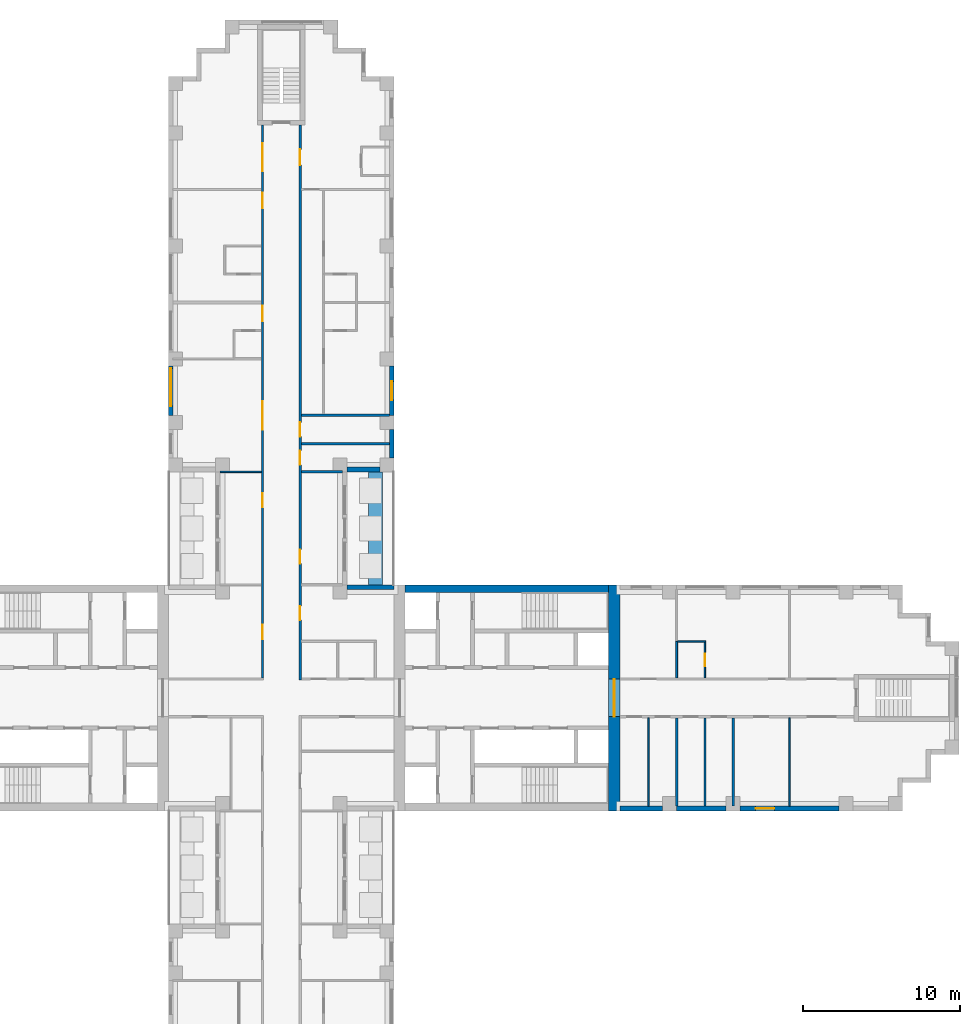
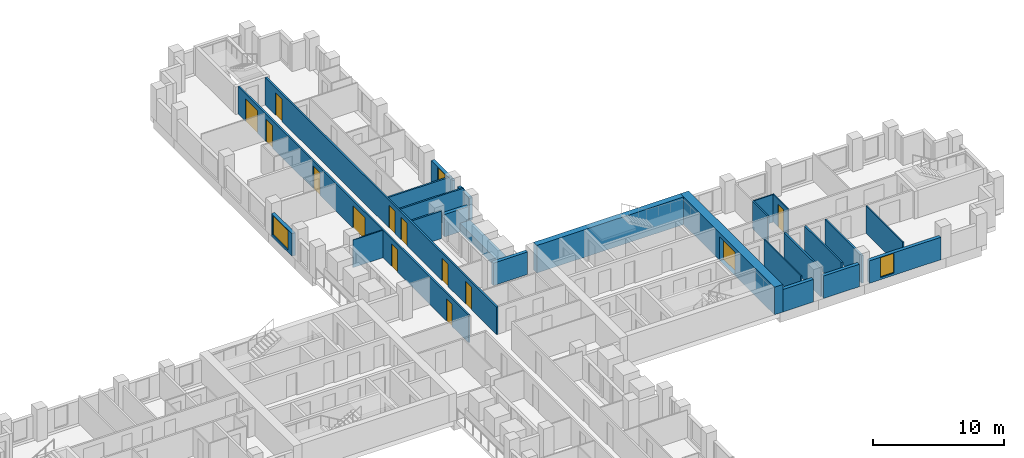
# One storey, part 9 of 15: 25 walls, 13 doors, 3 windows, 16 openings.
"""IFC4 building model written with IfcOpenShell, lengths in metres."""

from ifc_helpers import new_model, si_unit, direction, frame, frame_2d, origin, place, context, subcontext, project, spatial, rectangle, extrude, material, layer, layer_set, type_object, element, fill, save


model = new_model("IFC4")

# Units and contexts
model_context = context("Model", 3, precision=1e-05, world=origin(), true_north=direction((0.0, 1.0)))
body_context = subcontext(model_context, "Body", "Model", "MODEL_VIEW")
ifc_project = project(units=[si_unit("LENGTHUNIT", "METRE"), si_unit("AREAUNIT", "SQUARE_METRE"), si_unit("VOLUMEUNIT", "CUBIC_METRE"), si_unit("PLANEANGLEUNIT", "RADIAN"), si_unit("MASSUNIT", "GRAM", prefix="KILO")], contexts=[model_context])

# Site, building, storey
site_placement = place(None, origin())
site = spatial("IfcSite", under=ifc_project, at=site_placement, CompositionType="ELEMENT")
building_placement = place(site_placement, origin())
building = spatial("IfcBuilding", under=site, at=building_placement, Name="Fustian Cross Tower", CompositionType="ELEMENT")
storey_placement = place(building_placement, frame((0.0, 0.0, 47.699951171875)))
storey = spatial("IfcBuildingStorey", under=building, at=storey_placement, Name="L14", CompositionType="ELEMENT", Elevation=47.699951171875)

# Wall, openings, doors
ifc_material_1 = material(Name="Plasterboard on steel stud", Category="steel")
ifc_layer_1 = layer(ifc_material_1, 0.14990234375)
ifc_layer_set_1 = layer_set([ifc_layer_1], Name="Plasterboard on steel stud")
wall_type_1 = type_object("IfcWallType", Name="COMPARTMENT WALL 150 EI 60", PredefinedType="PARTITIONING", material=ifc_layer_set_1)
wall_1_placement = place(storey_placement, frame((-1.199951171875, 1.27490234375, 0.0), z_axis=(0.0, 0.0, 1.0), x_axis=(0.0, 1.0, 0.0)))
wall_1 = element("IfcWall", 1, at=wall_1_placement, inside=storey, type_object=wall_type_1, Name="Partition 43", PredefinedType="PARTITIONING", context=body_context, shape_type="SweptSolid", body=[
    extrude(rectangle(XDim=35.22509765625, YDim=0.14990234375, at=frame_2d((17.612548828125, 0.0))), origin(), (0.0, 0.0, 1.0), 2.574951171875),
])
opening_1_placement = place(wall_1_placement, frame((2.47509765625, 0.0, 0.0)))
opening_1 = element("IfcOpeningElement", 2, at=opening_1_placement, cuts=wall_1, Name="Opening D08004", PredefinedType="OPENING", context=body_context, shape_type="SweptSolid", body=[
    extrude(rectangle(XDim=0.89990234375, YDim=2.10009765625, at=frame_2d((0.449951171875, 1.050048828125))), frame((0.0, 0.0849609375, 0.0), z_axis=(0.0, -1.0, 0.0), x_axis=(1.0, 0.0, 0.0)), (0.0, 0.0, 1.0), 0.169921875),
])
opening_2_placement = place(wall_1_placement, frame((10.875, 0.0, 0.0)))
opening_2 = element("IfcOpeningElement", 3, at=opening_2_placement, cuts=wall_1, Name="Opening D08019", PredefinedType="OPENING", context=body_context, shape_type="SweptSolid", body=[
    extrude(rectangle(XDim=0.89990234375, YDim=2.10009765625, at=frame_2d((0.449951171875, 1.050048828125))), frame((0.0, 0.0849609375, 0.0), z_axis=(0.0, -1.0, 0.0), x_axis=(1.0, 0.0, 0.0)), (0.0, 0.0, 1.0), 0.169921875),
])
opening_3_placement = place(wall_1_placement, frame((15.824951171875, 0.0, 0.0)))
opening_3 = element("IfcOpeningElement", 4, at=opening_3_placement, cuts=wall_1, Name="Opening D08020", PredefinedType="OPENING", context=body_context, shape_type="SweptSolid", body=[
    extrude(rectangle(XDim=1.800048828125, YDim=2.10009765625, at=frame_2d((0.89990234375, 1.050048828125))), frame((0.0, 0.0849609375, 0.0), z_axis=(0.0, -1.0, 0.0), x_axis=(1.0, 0.0, 0.0)), (0.0, 0.0, 1.0), 0.169921875),
])
opening_4_placement = place(wall_1_placement, frame((22.72509765625, 0.0, 0.0)))
opening_4 = element("IfcOpeningElement", 5, at=opening_4_placement, cuts=wall_1, Name="Opening D08022", PredefinedType="OPENING", context=body_context, shape_type="SweptSolid", body=[
    extrude(rectangle(XDim=1.0, YDim=2.10009765625, at=frame_2d((0.5, 1.050048828125))), frame((0.0, 0.0849609375, 0.0), z_axis=(0.0, -1.0, 0.0), x_axis=(1.0, 0.0, 0.0)), (0.0, 0.0, 1.0), 0.169921875),
])
opening_5_placement = place(wall_1_placement, frame((29.925048828125, 0.0, 0.0)))
opening_5 = element("IfcOpeningElement", 6, at=opening_5_placement, cuts=wall_1, Name="Opening D08024", PredefinedType="OPENING", context=body_context, shape_type="SweptSolid", body=[
    extrude(rectangle(XDim=1.0, YDim=2.10009765625, at=frame_2d((0.5, 1.050048828125))), frame((0.0, 0.0849609375, 0.0), z_axis=(0.0, -1.0, 0.0), x_axis=(1.0, 0.0, 0.0)), (0.0, 0.0, 1.0), 0.169921875),
])
opening_6_placement = place(wall_1_placement, frame((32.27490234375, 0.0, 0.0)))
opening_6 = element("IfcOpeningElement", 7, at=opening_6_placement, cuts=wall_1, Name="Opening D08025", PredefinedType="OPENING", context=body_context, shape_type="SweptSolid", body=[
    extrude(rectangle(XDim=1.800048828125, YDim=2.10009765625, at=frame_2d((0.89990234375, 1.050048828125))), frame((0.0, 0.0849609375, 0.0), z_axis=(0.0, -1.0, 0.0), x_axis=(1.0, 0.0, 0.0)), (0.0, 0.0, 1.0), 0.169921875),
])
ifc_material_2 = material(Name="Timber fire door set", Category="wood")
door_type_1 = type_object("IfcDoorType", Name="FIRE DOUBLE DOOR 1800 FD30S", OperationType="DOUBLE_DOOR_DOUBLE_SWING", PredefinedType="DOOR", material=ifc_material_2)
door_1_placement = place(opening_3_placement, frame((1.800048828125, 0.0, 0.0), z_axis=(0.0, 0.0, 1.0), x_axis=(-1.0, 0.0, 0.0)))
door_1 = element("IfcDoor", 8, at=door_1_placement, inside=storey, type_object=door_type_1, Name="Door D08020", OperationType="DOUBLE_DOOR_DOUBLE_SWING", OverallHeight=2.10009765625, OverallWidth=1.800048828125, PredefinedType="DOOR", context=body_context, shape_type="SweptSolid", body=[
    extrude(rectangle(XDim=1.800048828125, YDim=2.10009765625, at=frame_2d((0.89990234375, 1.050048828125))), frame((0.0, 0.02490234375, 0.0), z_axis=(0.0, -1.0, 0.0), x_axis=(1.0, 0.0, 0.0)), (0.0, 0.0, 1.0), 0.050048828125),
])
fill(opening_3, door_1)
door_2_placement = place(opening_6_placement, frame((1.800048828125, 0.0, 0.0), z_axis=(0.0, 0.0, 1.0), x_axis=(-1.0, 0.0, 0.0)))
door_2 = element("IfcDoor", 9, at=door_2_placement, inside=storey, type_object=door_type_1, Name="Door D08025", OperationType="DOUBLE_DOOR_DOUBLE_SWING", OverallHeight=2.10009765625, OverallWidth=1.800048828125, PredefinedType="DOOR", context=body_context, shape_type="SweptSolid", body=[
    extrude(rectangle(XDim=1.800048828125, YDim=2.10009765625, at=frame_2d((0.89990234375, 1.050048828125))), frame((0.0, 0.02490234375, 0.0), z_axis=(0.0, -1.0, 0.0), x_axis=(1.0, 0.0, 0.0)), (0.0, 0.0, 1.0), 0.050048828125),
])
fill(opening_6, door_2)
ifc_material_3 = material(Name="Timber fire door set", Category="wood")
door_type_2 = type_object("IfcDoorType", Name="FIRE SWING DOOR 1000 FD30S", OperationType="SINGLE_SWING_LEFT", PredefinedType="DOOR", material=ifc_material_3)
door_3_placement = place(opening_4_placement, origin())
door_3 = element("IfcDoor", 10, at=door_3_placement, inside=storey, type_object=door_type_2, Name="Door D08022", OperationType="SINGLE_SWING_RIGHT", OverallHeight=2.10009765625, OverallWidth=1.0, PredefinedType="DOOR", context=body_context, shape_type="SweptSolid", body=[
    extrude(rectangle(XDim=1.0, YDim=2.10009765625, at=frame_2d((0.5, 1.050048828125))), frame((0.0, 0.02490234375, 0.0), z_axis=(0.0, -1.0, 0.0), x_axis=(1.0, 0.0, 0.0)), (0.0, 0.0, 1.0), 0.050048828125),
])
fill(opening_4, door_3)
door_4_placement = place(opening_5_placement, origin())
door_4 = element("IfcDoor", 11, at=door_4_placement, inside=storey, type_object=door_type_2, Name="Door D08024", OperationType="SINGLE_SWING_RIGHT", OverallHeight=2.10009765625, OverallWidth=1.0, PredefinedType="DOOR", context=body_context, shape_type="SweptSolid", body=[
    extrude(rectangle(XDim=1.0, YDim=2.10009765625, at=frame_2d((0.5, 1.050048828125))), frame((0.0, 0.02490234375, 0.0), z_axis=(0.0, -1.0, 0.0), x_axis=(1.0, 0.0, 0.0)), (0.0, 0.0, 1.0), 0.050048828125),
])
fill(opening_5, door_4)
ifc_material_4 = material(Name="Timber fire door set", Category="wood")
door_type_3 = type_object("IfcDoorType", Name="FIRE SWING DOOR 900 FD30S", OperationType="SINGLE_SWING_LEFT", PredefinedType="DOOR", material=ifc_material_4)
door_5_placement = place(opening_1_placement, origin())
door_5 = element("IfcDoor", 12, at=door_5_placement, inside=storey, type_object=door_type_3, Name="Door D08004", OperationType="SINGLE_SWING_LEFT", OverallHeight=2.10009765625, OverallWidth=0.89990234375, PredefinedType="DOOR", context=body_context, shape_type="SweptSolid", body=[
    extrude(rectangle(XDim=0.89990234375, YDim=2.10009765625, at=frame_2d((0.449951171875, 1.050048828125))), frame((0.0, 0.02490234375, 0.0), z_axis=(0.0, -1.0, 0.0), x_axis=(1.0, 0.0, 0.0)), (0.0, 0.0, 1.0), 0.050048828125),
])
fill(opening_1, door_5)
door_6_placement = place(opening_2_placement, origin())
door_6 = element("IfcDoor", 13, at=door_6_placement, inside=storey, type_object=door_type_3, Name="Door D08019", OperationType="SINGLE_SWING_RIGHT", OverallHeight=2.10009765625, OverallWidth=0.89990234375, PredefinedType="DOOR", context=body_context, shape_type="SweptSolid", body=[
    extrude(rectangle(XDim=0.89990234375, YDim=2.10009765625, at=frame_2d((0.449951171875, 1.050048828125))), frame((0.0, 0.02490234375, 0.0), z_axis=(0.0, -1.0, 0.0), x_axis=(1.0, 0.0, 0.0)), (0.0, 0.0, 1.0), 0.050048828125),
])
fill(opening_2, door_6)

wall_2_placement = place(storey_placement, frame((1.199951171875, 1.125, 0.0), z_axis=(0.0, 0.0, 1.0), x_axis=(0.0, 1.0, 0.0)))
wall_2 = element("IfcWall", 14, at=wall_2_placement, inside=storey, type_object=wall_type_1, Name="Partition 51", PredefinedType="PARTITIONING", context=body_context, shape_type="SweptSolid", body=[
    extrude(rectangle(XDim=35.375, YDim=0.14990234375, at=frame_2d((17.6875, 0.0))), origin(), (0.0, 0.0, 1.0), 2.574951171875),
])
opening_7_placement = place(wall_2_placement, frame((3.824951171875, 0.0, 0.0)))
opening_7 = element("IfcOpeningElement", 15, at=opening_7_placement, cuts=wall_2, Name="Opening D08003", PredefinedType="OPENING", context=body_context, shape_type="SweptSolid", body=[
    extrude(rectangle(XDim=0.89990234375, YDim=2.10009765625, at=frame_2d((0.449951171875, 1.050048828125))), frame((0.0, 0.0849609375, 0.0), z_axis=(0.0, -1.0, 0.0), x_axis=(1.0, 0.0, 0.0)), (0.0, 0.0, 1.0), 0.169921875),
])
opening_8_placement = place(wall_2_placement, frame((7.425048828125, 0.0, 0.0)))
opening_8 = element("IfcOpeningElement", 16, at=opening_8_placement, cuts=wall_2, Name="Opening D08026", PredefinedType="OPENING", context=body_context, shape_type="SweptSolid", body=[
    extrude(rectangle(XDim=0.89990234375, YDim=2.10009765625, at=frame_2d((0.449951171875, 1.050048828125))), frame((0.0, 0.0849609375, 0.0), z_axis=(0.0, -1.0, 0.0), x_axis=(1.0, 0.0, 0.0)), (0.0, 0.0, 1.0), 0.169921875),
])
opening_9_placement = place(wall_2_placement, frame((13.72509765625, 0.0, 0.0)))
opening_9 = element("IfcOpeningElement", 17, at=opening_9_placement, cuts=wall_2, Name="Opening D08027", PredefinedType="OPENING", context=body_context, shape_type="SweptSolid", body=[
    extrude(rectangle(XDim=0.89990234375, YDim=2.10009765625, at=frame_2d((0.449951171875, 1.050048828125))), frame((0.0, 0.0849609375, 0.0), z_axis=(0.0, -1.0, 0.0), x_axis=(1.0, 0.0, 0.0)), (0.0, 0.0, 1.0), 0.169921875),
])
opening_10_placement = place(wall_2_placement, frame((15.52490234375, 0.0, 0.0)))
opening_10 = element("IfcOpeningElement", 18, at=opening_10_placement, cuts=wall_2, Name="Opening D08028", PredefinedType="OPENING", context=body_context, shape_type="SweptSolid", body=[
    extrude(rectangle(XDim=0.89990234375, YDim=2.10009765625, at=frame_2d((0.449951171875, 1.050048828125))), frame((0.0, 0.0849609375, 0.0), z_axis=(0.0, -1.0, 0.0), x_axis=(1.0, 0.0, 0.0)), (0.0, 0.0, 1.0), 0.169921875),
])
opening_11_placement = place(wall_2_placement, frame((32.824951171875, 0.0, 0.0)))
opening_11 = element("IfcOpeningElement", 19, at=opening_11_placement, cuts=wall_2, Name="Opening D08030", PredefinedType="OPENING", context=body_context, shape_type="SweptSolid", body=[
    extrude(rectangle(XDim=1.0, YDim=2.10009765625, at=frame_2d((0.5, 1.050048828125))), frame((0.0, 0.0849609375, 0.0), z_axis=(0.0, -1.0, 0.0), x_axis=(1.0, 0.0, 0.0)), (0.0, 0.0, 1.0), 0.169921875),
])
door_7_placement = place(opening_11_placement, frame((1.0, 0.0, 0.0), z_axis=(0.0, 0.0, 1.0), x_axis=(-1.0, 0.0, 0.0)))
door_7 = element("IfcDoor", 20, at=door_7_placement, inside=storey, type_object=door_type_2, Name="Door D08030", OperationType="SINGLE_SWING_RIGHT", OverallHeight=2.10009765625, OverallWidth=1.0, PredefinedType="DOOR", context=body_context, shape_type="SweptSolid", body=[
    extrude(rectangle(XDim=1.0, YDim=2.10009765625, at=frame_2d((0.5, 1.050048828125))), frame((0.0, 0.02490234375, 0.0), z_axis=(0.0, -1.0, 0.0), x_axis=(1.0, 0.0, 0.0)), (0.0, 0.0, 1.0), 0.050048828125),
])
fill(opening_11, door_7)
door_8_placement = place(opening_7_placement, frame((0.89990234375, 0.0, 0.0), z_axis=(0.0, 0.0, 1.0), x_axis=(-1.0, 0.0, 0.0)))
door_8 = element("IfcDoor", 21, at=door_8_placement, inside=storey, type_object=door_type_3, Name="Door D08003", OperationType="SINGLE_SWING_RIGHT", OverallHeight=2.10009765625, OverallWidth=0.89990234375, PredefinedType="DOOR", context=body_context, shape_type="SweptSolid", body=[
    extrude(rectangle(XDim=0.89990234375, YDim=2.10009765625, at=frame_2d((0.449951171875, 1.050048828125))), frame((0.0, 0.02490234375, 0.0), z_axis=(0.0, -1.0, 0.0), x_axis=(1.0, 0.0, 0.0)), (0.0, 0.0, 1.0), 0.050048828125),
])
fill(opening_7, door_8)
door_9_placement = place(opening_8_placement, frame((0.89990234375, 0.0, 0.0), z_axis=(0.0, 0.0, 1.0), x_axis=(-1.0, 0.0, 0.0)))
door_9 = element("IfcDoor", 22, at=door_9_placement, inside=storey, type_object=door_type_3, Name="Door D08026", OperationType="SINGLE_SWING_RIGHT", OverallHeight=2.10009765625, OverallWidth=0.89990234375, PredefinedType="DOOR", context=body_context, shape_type="SweptSolid", body=[
    extrude(rectangle(XDim=0.89990234375, YDim=2.10009765625, at=frame_2d((0.449951171875, 1.050048828125))), frame((0.0, 0.02490234375, 0.0), z_axis=(0.0, -1.0, 0.0), x_axis=(1.0, 0.0, 0.0)), (0.0, 0.0, 1.0), 0.050048828125),
])
fill(opening_8, door_9)
door_10_placement = place(opening_9_placement, frame((0.89990234375, 0.0, 0.0), z_axis=(0.0, 0.0, 1.0), x_axis=(-1.0, 0.0, 0.0)))
door_10 = element("IfcDoor", 23, at=door_10_placement, inside=storey, type_object=door_type_3, Name="Door D08027", OperationType="SINGLE_SWING_LEFT", OverallHeight=2.10009765625, OverallWidth=0.89990234375, PredefinedType="DOOR", context=body_context, shape_type="SweptSolid", body=[
    extrude(rectangle(XDim=0.89990234375, YDim=2.10009765625, at=frame_2d((0.449951171875, 1.050048828125))), frame((0.0, 0.02490234375, 0.0), z_axis=(0.0, -1.0, 0.0), x_axis=(1.0, 0.0, 0.0)), (0.0, 0.0, 1.0), 0.050048828125),
])
fill(opening_9, door_10)
door_11_placement = place(opening_10_placement, origin())
door_11 = element("IfcDoor", 24, at=door_11_placement, inside=storey, type_object=door_type_3, Name="Door D08028", OperationType="SINGLE_SWING_LEFT", OverallHeight=2.10009765625, OverallWidth=0.89990234375, PredefinedType="DOOR", context=body_context, shape_type="SweptSolid", body=[
    extrude(rectangle(XDim=0.89990234375, YDim=2.10009765625, at=frame_2d((0.449951171875, 1.050048828125))), frame((0.0, 0.02490234375, 0.0), z_axis=(0.0, -1.0, 0.0), x_axis=(1.0, 0.0, 0.0)), (0.0, 0.0, 1.0), 0.050048828125),
])
fill(opening_10, door_11)

# Walls
wall_3_placement = place(storey_placement, frame((1.27490234375, 14.39990234375, 0.0), z_axis=(0.0, 0.0, 1.0), x_axis=(1.0, 0.0, 0.0)))
element("IfcWall", 25, at=wall_3_placement, inside=storey, type_object=wall_type_1, Name="Partition 55", PredefinedType="PARTITIONING", context=body_context, shape_type="SweptSolid", body=[
    extrude(rectangle(XDim=2.625, YDim=0.14990234375, at=frame_2d((1.3125, 0.0))), origin(), (0.0, 0.0, 1.0), 2.574951171875),
])
for number, where, z_axis, x_axis, name in (
    (26, (1.27490234375, 16.199951171875, 0.0), (0.0, 0.0, 1.0), (1.0, 0.0, 0.0), "Partition 56"),
    (27, (1.27490234375, 18.0, 0.0), (0.0, 0.0, 1.0), (1.0, 0.0, 0.0), "Partition 57"),
    (28, (25.199951171875, -6.89990234375, 0.0), (0.0, 0.0, 1.0), (0.0, 1.0, 0.0), "Partition 80"),
    (29, (27.0, -6.89990234375, 0.0), (0.0, 0.0, 1.0), (0.0, 1.0, 0.0), "Partition 84"),
    (30, (28.800048828125, -6.89990234375, 0.0), (0.0, 0.0, 1.0), (0.0, 1.0, 0.0), "Partition 86"),
):
    element("IfcWall", number, at=place(storey_placement, frame(where, z_axis=z_axis, x_axis=x_axis)), inside=storey, type_object=wall_type_1, Name=name, PredefinedType="PARTITIONING", context=body_context, shape_type="SweptSolid", body=[
        extrude(rectangle(XDim=5.625, YDim=0.14990234375, at=frame_2d((2.8125, 0.0))), origin(), (0.0, 0.0, 1.0), 2.574951171875),
    ])

# Wall, opening, door
ifc_material_5 = material(Name="Concrete C80/95", Category="concrete")
ifc_layer_2 = layer(ifc_material_5, 0.75)
ifc_layer_set_2 = layer_set([ifc_layer_2], Name="Concrete C80/95")
wall_type_2 = type_object("IfcWallType", Name="CORE END WALL 750 C80/95", PredefinedType="SHEAR", material=ifc_layer_set_2)
wall_4_placement = place(storey_placement, frame((21.22509765625, -7.199951171875, 0.0), z_axis=(0.0, 0.0, 1.0), x_axis=(0.0, 1.0, 0.0)))
wall_4 = element("IfcWall", 31, at=wall_4_placement, inside=storey, type_object=wall_type_2, Name="Core end wall", PredefinedType="SHEAR", context=body_context, shape_type="SweptSolid", body=[
    extrude(rectangle(XDim=14.39990234375, YDim=0.75, at=frame_2d((7.199951171875, 0.0))), origin(), (0.0, 0.0, 1.0), 2.574951171875),
])
opening_12_placement = place(wall_4_placement, frame((6.0, 0.0, 0.0)))
opening_12 = element("IfcOpeningElement", 32, at=opening_12_placement, cuts=wall_4, Name="Opening CD-05-13", PredefinedType="OPENING", context=body_context, shape_type="SweptSolid", body=[
    extrude(rectangle(XDim=2.39990234375, YDim=2.199951171875, at=frame_2d((1.199951171875, 1.10009765625))), frame((0.0, 0.385009765625, 0.0), z_axis=(0.0, -1.0, 0.0), x_axis=(1.0, 0.0, 0.0)), (0.0, 0.0, 1.0), 0.77001953125),
])
ifc_material_6 = material(Name="Steel", Category="steel")
door_type_4 = type_object("IfcDoorType", Name="FIRE DOOR FD30S DOUBLE 2400X2200", OperationType="DOUBLE_DOOR_DOUBLE_SWING", PredefinedType="DOOR", material=ifc_material_6)
door_12_placement = place(opening_12_placement, origin())
door_12 = element("IfcDoor", 33, at=door_12_placement, inside=storey, type_object=door_type_4, Name="Core door CD-05-13", OperationType="DOUBLE_DOOR_DOUBLE_SWING", OverallHeight=2.199951171875, OverallWidth=2.39990234375, PredefinedType="DOOR", context=body_context, shape_type="SweptSolid", body=[
    extrude(rectangle(XDim=2.39990234375, YDim=2.199951171875, at=frame_2d((1.199951171875, 1.10009765625))), frame((0.0, 0.02490234375, 0.0), z_axis=(0.0, -1.0, 0.0), x_axis=(1.0, 0.0, 0.0)), (0.0, 0.0, 1.0), 0.050048828125),
])
fill(opening_12, door_12)

# Walls
ifc_material_7 = material(Name="Concrete C80/95", Category="concrete")
ifc_layer_3 = layer(ifc_material_7, 0.5)
ifc_layer_set_3 = layer_set([ifc_layer_3], Name="Concrete C80/95")
wall_type_3 = type_object("IfcWallType", Name="CORE FACADE WALL 500 C80/95", PredefinedType="SHEAR", material=ifc_layer_set_3)
wall_5_placement = place(storey_placement, frame((7.89990234375, 6.949951171875, 0.0), z_axis=(0.0, 0.0, 1.0), x_axis=(1.0, 0.0, 0.0)))
element("IfcWall", 34, at=wall_5_placement, inside=storey, type_object=wall_type_3, Name="Core facade wall", PredefinedType="SHEAR", context=body_context, shape_type="SweptSolid", body=[
    extrude(rectangle(XDim=12.9501953125, YDim=0.5, at=frame_2d((6.47509765625, 0.0))), origin(), (0.0, 0.0, 1.0), 2.574951171875),
])
ifc_material_8 = material(Name="Plasterboard on steel stud", Category="steel")
ifc_layer_4 = layer(ifc_material_8, 0.10009765625)
ifc_layer_set_4 = layer_set([ifc_layer_4], Name="Plasterboard on steel stud")
wall_type_4 = type_object("IfcWallType", Name="PARTITION 100 STUD", PredefinedType="PARTITIONING", material=ifc_layer_set_4)
wall_6_placement = place(storey_placement, frame((-3.89990234375, 14.39990234375, 0.0), z_axis=(0.0, 0.0, 1.0), x_axis=(1.0, 0.0, 0.0)))
element("IfcWall", 35, at=wall_6_placement, inside=storey, type_object=wall_type_4, Name="Partition 33", PredefinedType="PARTITIONING", context=body_context, shape_type="SweptSolid", body=[
    extrude(rectangle(XDim=2.625, YDim=0.10009765625, at=frame_2d((1.3125, 0.0))), origin(), (0.0, 0.0, 1.0), 2.574951171875),
])
wall_7_placement = place(storey_placement, frame((23.39990234375, -6.89990234375, 0.0), z_axis=(0.0, 0.0, 1.0), x_axis=(0.0, 1.0, 0.0)))
element("IfcWall", 36, at=wall_7_placement, inside=storey, type_object=wall_type_4, Name="Partition 79", PredefinedType="PARTITIONING", context=body_context, shape_type="SweptSolid", body=[
    extrude(rectangle(XDim=5.625, YDim=0.10009765625, at=frame_2d((2.8125, 0.0))), origin(), (0.0, 0.0, 1.0), 2.574951171875),
])
wall_8_placement = place(storey_placement, frame((25.262451171875, 3.60009765625, 0.0), z_axis=(0.0, 0.0, 1.0), x_axis=(1.0, 0.0, 0.0)))
element("IfcWall", 37, at=wall_8_placement, inside=storey, type_object=wall_type_4, Name="Partition 83", PredefinedType="PARTITIONING", context=body_context, shape_type="SweptSolid", body=[
    extrude(rectangle(XDim=1.78759765625, YDim=0.10009765625, at=frame_2d((0.893798828125, 0.0))), origin(), (0.0, 0.0, 1.0), 2.574951171875),
])

# Wall, opening, door
wall_9_placement = place(storey_placement, frame((27.0, 1.27490234375, 0.0), z_axis=(0.0, 0.0, 1.0), x_axis=(0.0, 1.0, 0.0)))
wall_9 = element("IfcWall", 38, at=wall_9_placement, inside=storey, type_object=wall_type_4, Name="Partition 85", PredefinedType="PARTITIONING", context=body_context, shape_type="SweptSolid", body=[
    extrude(rectangle(XDim=2.275146484375, YDim=0.10009765625, at=frame_2d((1.1376953125, 0.0))), origin(), (0.0, 0.0, 1.0), 2.574951171875),
])
opening_13_placement = place(wall_9_placement, frame((0.72509765625, 0.0, 0.0)))
opening_13 = element("IfcOpeningElement", 39, at=opening_13_placement, cuts=wall_9, Name="Opening D08010", PredefinedType="OPENING", context=body_context, shape_type="SweptSolid", body=[
    extrude(rectangle(XDim=0.800048828125, YDim=2.10009765625, at=frame_2d((0.39990234375, 1.050048828125))), frame((0.0, 0.06005859375, 0.0), z_axis=(0.0, -1.0, 0.0), x_axis=(1.0, 0.0, 0.0)), (0.0, 0.0, 1.0), 0.1201171875),
])
ifc_material_9 = material(Name="Painted timber", Category="wood")
door_type_5 = type_object("IfcDoorType", Name="SWING DOOR 800", OperationType="SINGLE_SWING_LEFT", PredefinedType="DOOR", material=ifc_material_9)
door_13_placement = place(opening_13_placement, origin())
door_13 = element("IfcDoor", 40, at=door_13_placement, inside=storey, type_object=door_type_5, Name="Door D08010", OperationType="SINGLE_SWING_LEFT", OverallHeight=2.10009765625, OverallWidth=0.800048828125, PredefinedType="DOOR", context=body_context, shape_type="SweptSolid", body=[
    extrude(rectangle(XDim=0.800048828125, YDim=2.10009765625, at=frame_2d((0.39990234375, 1.050048828125))), frame((0.0, 0.02490234375, 0.0), z_axis=(0.0, -1.0, 0.0), x_axis=(1.0, 0.0, 0.0)), (0.0, 0.0, 1.0), 0.050048828125),
])
fill(opening_13, door_13)

# Walls
wall_10_placement = place(storey_placement, frame((32.39990234375, -6.89990234375, 0.0), z_axis=(0.0, 0.0, 1.0), x_axis=(0.0, 1.0, 0.0)))
element("IfcWall", 41, at=wall_10_placement, inside=storey, type_object=wall_type_4, Name="Partition 87", PredefinedType="PARTITIONING", context=body_context, shape_type="SweptSolid", body=[
    extrude(rectangle(XDim=5.625, YDim=0.10009765625, at=frame_2d((2.8125, 0.0))), origin(), (0.0, 0.0, 1.0), 2.574951171875),
])
ifc_material_10 = material(Name="Concrete C40/50", Category="concrete")
ifc_layer_5 = layer(ifc_material_10, 0.89990234375)
ifc_layer_set_5 = layer_set([ifc_layer_5], Name="Concrete C40/50")
wall_type_5 = type_object("IfcWallType", Name="PK1 PLANTER 900", PredefinedType="PARAPET", material=ifc_layer_set_5)
wall_11_placement = place(storey_placement, frame((6.0, 7.199951171875, 0.0), z_axis=(0.0, 0.0, 1.0), x_axis=(0.0, 1.0, 0.0)))
element("IfcWall", 42, at=wall_11_placement, inside=storey, type_object=wall_type_5, Name="PLANTER", PredefinedType="PARAPET", context=body_context, shape_type="SweptSolid", body=[
    extrude(rectangle(XDim=7.199951171875, YDim=0.89990234375, at=frame_2d((3.60009765625, 0.0))), origin(), (0.0, 0.0, 1.0), 0.800048828125),
])
ifc_material_11 = material(Name="Plasterboard on steel stud", Category="steel")
ifc_layer_6 = layer(ifc_material_11, 0.125)
ifc_layer_set_6 = layer_set([ifc_layer_6], Name="Plasterboard on steel stud")
wall_type_6 = type_object("IfcWallType", Name="WET WALL 125 STUD", PredefinedType="PARTITIONING", material=ifc_layer_set_6)
wall_12_placement = place(storey_placement, frame((25.199951171875, 1.27490234375, 0.0), z_axis=(0.0, 0.0, 1.0), x_axis=(0.0, 1.0, 0.0)))
element("IfcWall", 43, at=wall_12_placement, inside=storey, type_object=wall_type_6, Name="Partition 81", PredefinedType="PARTITIONING", context=body_context, shape_type="SweptSolid", body=[
    extrude(rectangle(XDim=2.3251953125, YDim=0.125, at=frame_2d((1.16259765625, 0.0))), origin(), (0.0, 0.0, 1.0), 2.574951171875),
])
ifc_material_12 = material(Name="Dark aluminium cladding on insulated backing wall", Category="aluminium")
ifc_layer_7 = layer(ifc_material_12, 0.300048828125)
ifc_layer_set_7 = layer_set([ifc_layer_7], Name="Dark aluminium cladding on insulated backing wall")
wall_type_7 = type_object("IfcWallType", Name="XW1 EXTERNAL WALL 300", PredefinedType="SOLIDWALL", material=ifc_layer_set_7)
wall_13_placement = place(storey_placement, frame((21.60009765625, -7.050048828125, 0.0), z_axis=(0.0, 0.0, 1.0), x_axis=(1.0, 0.0, 0.0)))
element("IfcWall", 44, at=wall_13_placement, inside=storey, type_object=wall_type_7, Name="External wall", PredefinedType="SOLIDWALL", context=body_context, shape_type="SweptSolid", body=[
    extrude(rectangle(XDim=2.699951171875, YDim=0.300048828125, at=frame_2d((1.35009765625, 0.0))), origin(), (0.0, 0.0, 1.0), 2.10009765625),
])
wall_14_placement = place(storey_placement, frame((25.199951171875, -7.050048828125, 0.0), z_axis=(0.0, 0.0, 1.0), x_axis=(1.0, 0.0, 0.0)))
element("IfcWall", 45, at=wall_14_placement, inside=storey, type_object=wall_type_7, Name="External wall", PredefinedType="SOLIDWALL", context=body_context, shape_type="SweptSolid", body=[
    extrude(rectangle(XDim=3.150146484375, YDim=0.300048828125, at=frame_2d((1.5751953125, 0.0))), origin(), (0.0, 0.0, 1.0), 2.10009765625),
])

# Wall, opening, window
wall_15_placement = place(storey_placement, frame((29.25, -7.050048828125, 0.0), z_axis=(0.0, 0.0, 1.0), x_axis=(1.0, 0.0, 0.0)))
wall_15 = element("IfcWall", 46, at=wall_15_placement, inside=storey, type_object=wall_type_7, Name="External wall", PredefinedType="SOLIDWALL", context=body_context, shape_type="SweptSolid", body=[
    extrude(rectangle(XDim=6.300048828125, YDim=0.300048828125, at=frame_2d((3.14990234375, 0.0))), origin(), (0.0, 0.0, 1.0), 2.10009765625),
])
opening_14_placement = place(wall_15_placement, frame((0.97509765625, 0.0, 0.199951171875)))
opening_14 = element("IfcOpeningElement", 47, at=opening_14_placement, cuts=wall_15, Name="Opening WN3", PredefinedType="OPENING", context=body_context, shape_type="SweptSolid", body=[
    extrude(rectangle(XDim=1.199951171875, YDim=1.85009765625, at=frame_2d((0.60009765625, 0.925048828125))), frame((0.0, 0.159912109375, 0.0), z_axis=(0.0, -1.0, 0.0), x_axis=(1.0, 0.0, 0.0)), (0.0, 0.0, 1.0), 0.320068359375),
])
ifc_material_13 = material(Name="Dark anodised aluminium and double glazing", Category="aluminium")
window_type_1 = type_object("IfcWindowType", Name="WN3 WINDOW 1200X1850", PartitioningType="SINGLE_PANEL", PredefinedType="WINDOW", material=ifc_material_13)
window_1_placement = place(opening_14_placement, origin())
window_1 = element("IfcWindow", 48, at=window_1_placement, inside=storey, type_object=window_type_1, Name="Window", OverallHeight=1.85009765625, OverallWidth=1.199951171875, PartitioningType="SINGLE_PANEL", PredefinedType="WINDOW", context=body_context, shape_type="SweptSolid", body=[
    extrude(rectangle(XDim=1.199951171875, YDim=1.85009765625, at=frame_2d((0.60009765625, 0.925048828125))), frame((0.0, 0.030029296875, 0.0), z_axis=(0.0, -1.0, 0.0), x_axis=(1.0, 0.0, 0.0)), (0.0, 0.0, 1.0), 0.06005859375),
])
fill(opening_14, window_1)

# Walls
wall_16_placement = place(storey_placement, frame((7.199951171875, 7.050048828125, 0.0), z_axis=(0.0, 0.0, 1.0), x_axis=(-1.0, 0.0, 0.0)))
element("IfcWall", 49, at=wall_16_placement, inside=storey, type_object=wall_type_7, Name="External wall", PredefinedType="SOLIDWALL", context=body_context, shape_type="SweptSolid", body=[
    extrude(rectangle(XDim=3.0, YDim=0.300048828125, at=frame_2d((1.5, 0.0))), origin(), (0.0, 0.0, 1.0), 2.10009765625),
])
wall_17_placement = place(storey_placement, frame((4.199951171875, 14.550048828125, 0.0), z_axis=(0.0, 0.0, 1.0), x_axis=(1.0, 0.0, 0.0)))
element("IfcWall", 50, at=wall_17_placement, inside=storey, type_object=wall_type_7, Name="External wall", PredefinedType="SOLIDWALL", context=body_context, shape_type="SweptSolid", body=[
    extrude(rectangle(XDim=2.10009765625, YDim=0.300048828125, at=frame_2d((1.050048828125, 0.0))), origin(), (0.0, 0.0, 1.0), 2.10009765625),
])
wall_18_placement = place(storey_placement, frame((7.050048828125, 15.300048828125, 0.0), z_axis=(0.0, 0.0, 1.0), x_axis=(0.0, 1.0, 0.0)))
element("IfcWall", 51, at=wall_18_placement, inside=storey, type_object=wall_type_7, Name="External wall", PredefinedType="SOLIDWALL", context=body_context, shape_type="SweptSolid", body=[
    extrude(rectangle(XDim=1.800048828125, YDim=0.300048828125, at=frame_2d((0.89990234375, 0.0))), origin(), (0.0, 0.0, 1.0), 2.10009765625),
])

# Wall, opening, window
wall_19_placement = place(storey_placement, frame((7.050048828125, 18.0, 0.0), z_axis=(0.0, 0.0, 1.0), x_axis=(0.0, 1.0, 0.0)))
wall_19 = element("IfcWall", 52, at=wall_19_placement, inside=storey, type_object=wall_type_7, Name="External wall", PredefinedType="SOLIDWALL", context=body_context, shape_type="SweptSolid", body=[
    extrude(rectangle(XDim=3.14990234375, YDim=0.300048828125, at=frame_2d((1.574951171875, 0.0))), origin(), (0.0, 0.0, 1.0), 2.10009765625),
])
opening_15_placement = place(wall_19_placement, frame((0.97509765625, 0.0, 0.199951171875)))
opening_15 = element("IfcOpeningElement", 53, at=opening_15_placement, cuts=wall_19, Name="Opening WN3", PredefinedType="OPENING", context=body_context, shape_type="SweptSolid", body=[
    extrude(rectangle(XDim=1.199951171875, YDim=1.85009765625, at=frame_2d((0.60009765625, 0.925048828125))), frame((0.0, 0.159912109375, 0.0), z_axis=(0.0, -1.0, 0.0), x_axis=(1.0, 0.0, 0.0)), (0.0, 0.0, 1.0), 0.320068359375),
])
window_2_placement = place(opening_15_placement, origin())
window_2 = element("IfcWindow", 54, at=window_2_placement, inside=storey, type_object=window_type_1, Name="Window", OverallHeight=1.85009765625, OverallWidth=1.199951171875, PartitioningType="SINGLE_PANEL", PredefinedType="WINDOW", context=body_context, shape_type="SweptSolid", body=[
    extrude(rectangle(XDim=1.199951171875, YDim=1.85009765625, at=frame_2d((0.60009765625, 0.925048828125))), frame((0.0, 0.030029296875, 0.0), z_axis=(0.0, -1.0, 0.0), x_axis=(1.0, 0.0, 0.0)), (0.0, 0.0, 1.0), 0.06005859375),
])
fill(opening_15, window_2)

wall_20_placement = place(storey_placement, frame((-7.050048828125, 21.14990234375, 0.0), z_axis=(0.0, 0.0, 1.0), x_axis=(0.0, -1.0, 0.0)))
wall_20 = element("IfcWall", 55, at=wall_20_placement, inside=storey, type_object=wall_type_7, Name="External wall", PredefinedType="SOLIDWALL", context=body_context, shape_type="SweptSolid", body=[
    extrude(rectangle(XDim=3.14990234375, YDim=0.300048828125, at=frame_2d((1.574951171875, 0.0))), origin(), (0.0, 0.0, 1.0), 2.10009765625),
])
opening_16_placement = place(wall_20_placement, frame((0.14990234375, 0.0, 0.199951171875)))
opening_16 = element("IfcOpeningElement", 56, at=opening_16_placement, cuts=wall_20, Name="Opening WN1", PredefinedType="OPENING", context=body_context, shape_type="SweptSolid", body=[
    extrude(rectangle(XDim=2.39990234375, YDim=1.85009765625, at=frame_2d((1.199951171875, 0.925048828125))), frame((0.0, 0.159912109375, 0.0), z_axis=(0.0, -1.0, 0.0), x_axis=(1.0, 0.0, 0.0)), (0.0, 0.0, 1.0), 0.320068359375),
])
ifc_material_14 = material(Name="Dark anodised aluminium and double glazing", Category="aluminium")
window_type_2 = type_object("IfcWindowType", Name="WN1 WINDOW 2400X1850", PartitioningType="SINGLE_PANEL", PredefinedType="WINDOW", material=ifc_material_14)
window_3_placement = place(opening_16_placement, origin())
window_3 = element("IfcWindow", 57, at=window_3_placement, inside=storey, type_object=window_type_2, Name="Window", OverallHeight=1.85009765625, OverallWidth=2.39990234375, PartitioningType="SINGLE_PANEL", PredefinedType="WINDOW", context=body_context, shape_type="SweptSolid", body=[
    extrude(rectangle(XDim=2.39990234375, YDim=1.85009765625, at=frame_2d((1.199951171875, 0.925048828125))), frame((0.0, 0.030029296875, 0.0), z_axis=(0.0, -1.0, 0.0), x_axis=(1.0, 0.0, 0.0)), (0.0, 0.0, 1.0), 0.06005859375),
])
fill(opening_16, window_3)

save(model, "model.ifc")
